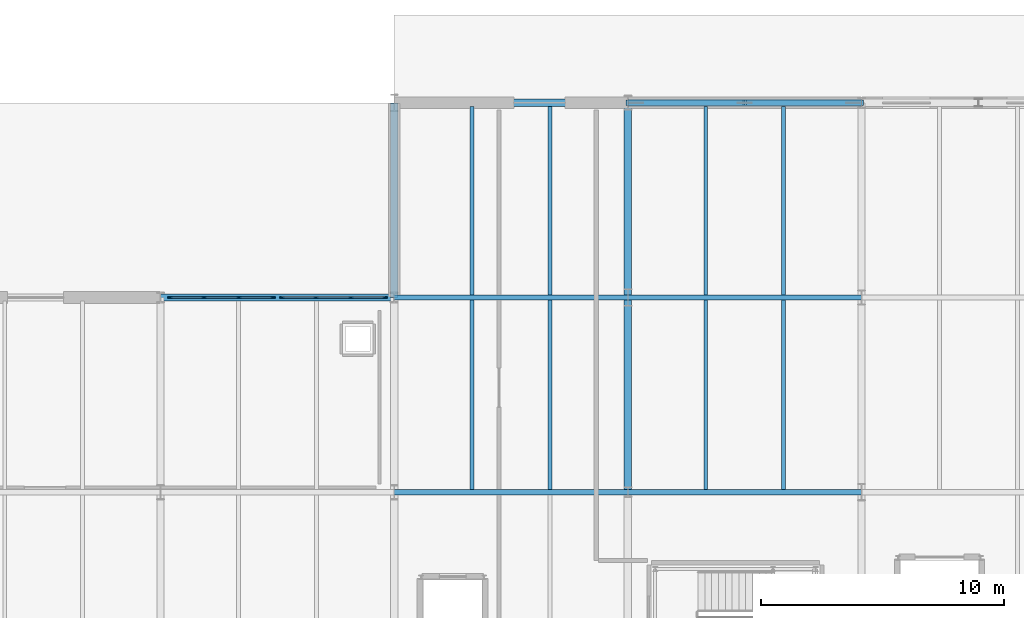
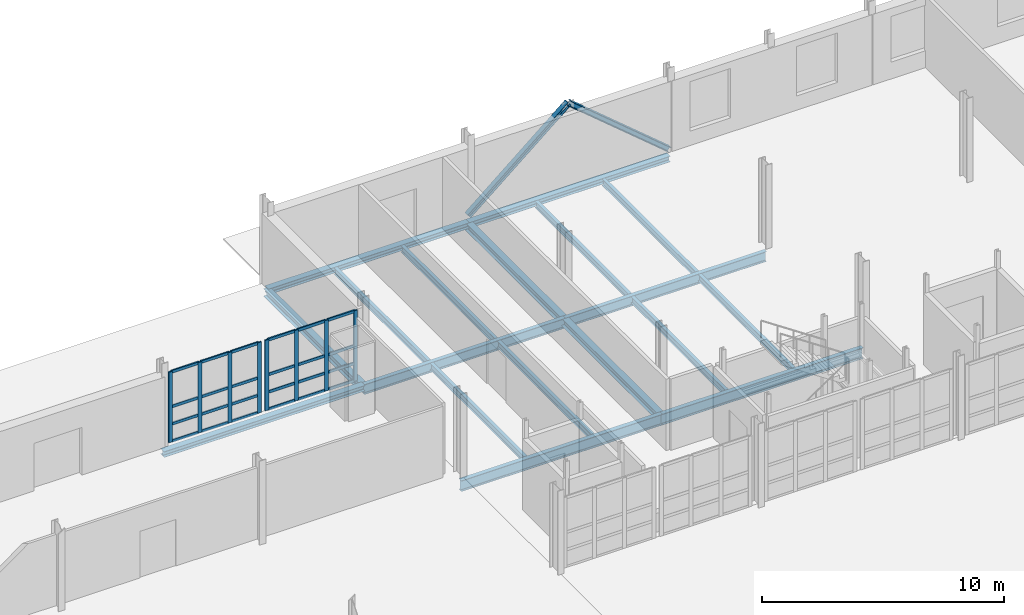
# One storey, part 41 of 78: 34 members, 18 beams, 2 elements without a shape of their own.
"""IFC4 building model written with IfcOpenShell, lengths in metres."""

from ifc_helpers import new_model, si_unit, direction, frame, origin, origin_2d, place, context, subcontext, project, spatial, rectangle, i_section, extrude, material, layer, layer_set, material_profile, profile_set, type_object, element, aggregate, save


model = new_model("IFC4")

# Units and contexts
model_context = context("Model", 3, precision=1e-05, world=origin(), true_north=direction((0.0, 1.0)))
body_context = subcontext(model_context, "Body", "Model", "MODEL_VIEW")
ifc_project = project(units=[si_unit("LENGTHUNIT", "METRE"), si_unit("AREAUNIT", "SQUARE_METRE"), si_unit("VOLUMEUNIT", "CUBIC_METRE"), si_unit("PLANEANGLEUNIT", "RADIAN"), si_unit("MASSUNIT", "GRAM", prefix="KILO")], contexts=[model_context])

# Site, building, storey
site_placement = place(None, origin())
site = spatial("IfcSite", under=ifc_project, at=site_placement, CompositionType="ELEMENT")
building_placement = place(site_placement, origin())
building = spatial("IfcBuilding", under=site, at=building_placement, Name="Alderhovde Museum", CompositionType="ELEMENT")
storey_placement = place(building_placement, origin())
storey = spatial("IfcBuildingStorey", under=building, at=storey_placement, Name="L00", CompositionType="ELEMENT", Elevation=0.0)

# Beams
ifc_material_1 = material(Name="Steel S355J2", Category="steel")
ifc_material_profile_1 = material_profile(ifc_material_1, i_section(OverallWidth=0.300048828125, OverallDepth=0.389892578125, WebThickness=0.010986328125, FlangeThickness=0.01904296875, FilletRadius=0.027099609375, at=origin_2d()), Name="HEA 400")
ifc_profile_set_1 = profile_set([ifc_material_profile_1], Name="Steel S355J2")
beam_type_1 = type_object("IfcBeamType", Name="BM-HEA400", PredefinedType="BEAM", material=ifc_profile_set_1)
for number, where, z_axis, x_axis, name in (
    (1, (115.199951171875, 88.0, -0.47509765625), (0.0, 1.0, 0.0), (-1.0, 0.0, 0.0), "L00 Grid Beam X=115.2 (88.0 TO 96.0)"),
    (2, (124.800048828125, 80.0, -0.47509765625), (0.0, 1.0, 0.0), (-1.0, 0.0, 0.0), "L00 Grid Beam X=124.8 (80.0 TO 88.0)"),
    (3, (124.800048828125, 88.0, -0.47509765625), (0.0, 1.0, 0.0), (-1.0, 0.0, 0.0), "L00 Grid Beam X=124.8 (88.0 TO 96.0)"),
):
    element("IfcBeam", number, at=place(storey_placement, frame(where, z_axis=z_axis, x_axis=x_axis)), inside=storey, type_object=beam_type_1, Name=name, PredefinedType="BEAM", context=body_context, shape_type="SweptSolid", body=[
        extrude(i_section(OverallWidth=0.300048828125, OverallDepth=0.389892578125, WebThickness=0.010986328125, FlangeThickness=0.01904296875, FilletRadius=0.027099609375, at=origin_2d()), origin(), (0.0, 0.0, 1.0), 8.0),
    ])
ifc_material_2 = material(Name="Steel S355J2", Category="steel")
ifc_material_profile_2 = material_profile(ifc_material_2, i_section(OverallWidth=0.199951171875, OverallDepth=0.5, WebThickness=0.01025390625, FlangeThickness=0.01611328125, FilletRadius=0.02099609375, at=origin_2d()), Name="IPE 500")
ifc_profile_set_2 = profile_set([ifc_material_profile_2], Name="Steel S355J2")
beam_type_2 = type_object("IfcBeamType", Name="BM-IPE500", PredefinedType="BEAM", material=ifc_profile_set_2)
beam_1_placement = place(storey_placement, frame((115.199951171875, 88.0, -0.530029296875), z_axis=(1.0, 0.0, 0.0), x_axis=(0.0, 1.0, 0.0)))
element("IfcBeam", 4, at=beam_1_placement, inside=storey, type_object=beam_type_2, Name="L00 Grid Beam Y=88.0 (115.2 TO 124.8)", PredefinedType="BEAM", context=body_context, shape_type="SweptSolid", body=[
    extrude(i_section(OverallWidth=0.199951171875, OverallDepth=0.5, WebThickness=0.01025390625, FlangeThickness=0.01611328125, FilletRadius=0.02099609375, at=origin_2d()), origin(), (0.0, 0.0, 1.0), 9.60009765625),
])
beam_2_placement = place(storey_placement, frame((124.800048828125, 88.0, -0.530029296875), z_axis=(1.0, 0.0, 0.0), x_axis=(0.0, 1.0, 0.0)))
element("IfcBeam", 5, at=beam_2_placement, inside=storey, type_object=beam_type_2, Name="L00 Grid Beam Y=88.0 (124.8 TO 134.4)", PredefinedType="BEAM", context=body_context, shape_type="SweptSolid", body=[
    extrude(i_section(OverallWidth=0.199951171875, OverallDepth=0.5, WebThickness=0.01025390625, FlangeThickness=0.01611328125, FilletRadius=0.02099609375, at=origin_2d()), origin(), (0.0, 0.0, 1.0), 9.599853515625),
])
ifc_material_3 = material(Name="Steel S355J2", Category="steel")
ifc_material_profile_3 = material_profile(ifc_material_3, i_section(OverallWidth=0.2099609375, OverallDepth=0.550048828125, WebThickness=0.010986328125, FlangeThickness=0.01708984375, FilletRadius=0.02392578125, at=origin_2d()), Name="IPE 550")
ifc_profile_set_3 = profile_set([ifc_material_profile_3], Name="Steel S355J2")
beam_type_3 = type_object("IfcBeamType", Name="BM-IPE550", PredefinedType="BEAM", material=ifc_profile_set_3)
beam_3_placement = place(storey_placement, frame((115.199951171875, 80.0, -0.554931640625), z_axis=(1.0, 0.0, 0.0), x_axis=(0.0, 1.0, 0.0)))
element("IfcBeam", 6, at=beam_3_placement, inside=storey, type_object=beam_type_3, Name="L00 Grid Beam Y=80.0 (115.2 TO 124.8)", PredefinedType="BEAM", context=body_context, shape_type="SweptSolid", body=[
    extrude(i_section(OverallWidth=0.2099609375, OverallDepth=0.550048828125, WebThickness=0.010986328125, FlangeThickness=0.01708984375, FilletRadius=0.02392578125, at=origin_2d()), origin(), (0.0, 0.0, 1.0), 9.60009765625),
])
beam_4_placement = place(storey_placement, frame((124.800048828125, 80.0, -0.554931640625), z_axis=(1.0, 0.0, 0.0), x_axis=(0.0, 1.0, 0.0)))
element("IfcBeam", 7, at=beam_4_placement, inside=storey, type_object=beam_type_3, Name="L00 Grid Beam Y=80.0 (124.8 TO 134.4)", PredefinedType="BEAM", context=body_context, shape_type="SweptSolid", body=[
    extrude(i_section(OverallWidth=0.2099609375, OverallDepth=0.550048828125, WebThickness=0.010986328125, FlangeThickness=0.01708984375, FilletRadius=0.02392578125, at=origin_2d()), origin(), (0.0, 0.0, 1.0), 9.599853515625),
])

# Members
ifc_material_4 = material(Name="Steel S355J2", Category="steel")
ifc_material_profile_4 = material_profile(ifc_material_4, i_section(OverallWidth=0.239990234375, OverallDepth=0.239990234375, WebThickness=0.010009765625, FlangeThickness=0.01708984375, FilletRadius=0.02099609375, at=origin_2d()), Name="HEB 240")
ifc_profile_set_4 = profile_set([ifc_material_profile_4], Name="Steel S355J2")
member_type_1 = type_object("IfcMemberType", Name="BR-HEB240", PredefinedType="BRACE", material=ifc_profile_set_4)
for number, where, z_axis, x_axis, name in (
    (8, (124.800048828125, 96.0, 0.0), (0.766649646023, 0.0, 0.64206566662), (0.0, 1.0, 0.0), "L00 Chevron Brace BR-V5-N-L"),
    (9, (134.39990234375, 96.0, 0.0), (-0.76663357033, 0.0, 0.642084861091), (0.0, -1.0, 0.0), "L00 Chevron Brace BR-V5-N-R"),
):
    element("IfcMember", number, at=place(storey_placement, frame(where, z_axis=z_axis, x_axis=x_axis)), inside=storey, type_object=member_type_1, Name=name, PredefinedType="BRACE", context=body_context, shape_type="SweptSolid", body=[
        extrude(i_section(OverallWidth=0.239990234375, OverallDepth=0.239990234375, WebThickness=0.010009765625, FlangeThickness=0.01708984375, FilletRadius=0.02099609375, at=origin_2d()), origin(), (0.0, 0.0, 1.0), 6.260986328125),
    ])

# Curtain wall, members
ifc_material_5 = material(Name="Triple-Glazed Bronze-Anodised Curtain Wall", Category="glass")
ifc_layer = layer(ifc_material_5, 0.179931640625)
ifc_layer_set = layer_set([ifc_layer], Name="Triple-Glazed Bronze-Anodised Curtain Wall")
curtain_wall_type = type_object("IfcCurtainWallType", Name="CW-UNIT-430x356", PredefinedType="USERDEFINED", material=ifc_layer_set)
curtain_wall_1_placement = place(storey_placement, origin())
curtain_wall_1 = element("IfcCurtainWall", 10, at=curtain_wall_1_placement, inside=storey, type_object=curtain_wall_type, Name="L00 Unitised Curtain Wall 15", ObjectType="UNITISED CURTAIN WALL", PredefinedType="USERDEFINED")
ifc_material_6 = material(Name="Bronze-Anodised Aluminium EN AW-6063-T6", Category="aluminium")
ifc_material_profile_5 = material_profile(ifc_material_6, rectangle(XDim=0.06494140625, YDim=0.179931640625, at=origin_2d()), Name="MULLION 65x180")
ifc_profile_set_5 = profile_set([ifc_material_profile_5], Name="Bronze-Anodised Aluminium EN AW-6063-T6")
member_type_2 = type_object("IfcMemberType", Name="CWM-65x180", PredefinedType="MULLION", material=ifc_profile_set_5)
member_1_placement = place(storey_placement, frame((105.982421875, 88.0, 0.0), z_axis=(0.0, 0.0, 1.0), x_axis=(0.0, 1.0, 0.0)))
member_1 = element("IfcMember", 11, at=member_1_placement, type_object=member_type_2, Name="CW07 mullion 1", PredefinedType="MULLION", context=body_context, shape_type="SweptSolid", body=[
    extrude(rectangle(XDim=0.06494140625, YDim=0.179931640625, at=origin_2d()), origin(), (0.0, 0.0, 1.0), 3.56005859375),
])
member_2_placement = place(storey_placement, frame((107.38330078125, 88.0, 0.0), z_axis=(0.0, 0.0, 1.0), x_axis=(0.0, 1.0, 0.0)))
member_2 = element("IfcMember", 12, at=member_2_placement, type_object=member_type_2, Name="CW07 mullion 2", PredefinedType="MULLION", context=body_context, shape_type="SweptSolid", body=[
    extrude(rectangle(XDim=0.06494140625, YDim=0.179931640625, at=origin_2d()), origin(), (0.0, 0.0, 1.0), 3.56005859375),
])
member_3_placement = place(storey_placement, frame((108.816650390625, 88.0, 0.0), z_axis=(0.0, 0.0, 1.0), x_axis=(0.0, 1.0, 0.0)))
member_3 = element("IfcMember", 13, at=member_3_placement, type_object=member_type_2, Name="CW07 mullion 3", PredefinedType="MULLION", context=body_context, shape_type="SweptSolid", body=[
    extrude(rectangle(XDim=0.06494140625, YDim=0.179931640625, at=origin_2d()), origin(), (0.0, 0.0, 1.0), 3.56005859375),
])
member_4_placement = place(storey_placement, frame((110.217529296875, 88.0, 0.0), z_axis=(0.0, 0.0, 1.0), x_axis=(0.0, 1.0, 0.0)))
member_4 = element("IfcMember", 14, at=member_4_placement, type_object=member_type_2, Name="CW07 mullion 4", PredefinedType="MULLION", context=body_context, shape_type="SweptSolid", body=[
    extrude(rectangle(XDim=0.06494140625, YDim=0.179931640625, at=origin_2d()), origin(), (0.0, 0.0, 1.0), 3.56005859375),
])

curtain_wall_2_placement = place(storey_placement, origin())
curtain_wall_2 = element("IfcCurtainWall", 15, at=curtain_wall_2_placement, inside=storey, type_object=curtain_wall_type, Name="L00 Unitised Curtain Wall 16", ObjectType="UNITISED CURTAIN WALL", PredefinedType="USERDEFINED")
member_5_placement = place(storey_placement, frame((110.58251953125, 88.0, 0.0), z_axis=(0.0, 0.0, 1.0), x_axis=(0.0, 1.0, 0.0)))
member_5 = element("IfcMember", 16, at=member_5_placement, type_object=member_type_2, Name="CW07 mullion 1", PredefinedType="MULLION", context=body_context, shape_type="SweptSolid", body=[
    extrude(rectangle(XDim=0.06494140625, YDim=0.179931640625, at=origin_2d()), origin(), (0.0, 0.0, 1.0), 3.56005859375),
])
member_6_placement = place(storey_placement, frame((111.9833984375, 88.0, 0.0), z_axis=(0.0, 0.0, 1.0), x_axis=(0.0, 1.0, 0.0)))
member_6 = element("IfcMember", 17, at=member_6_placement, type_object=member_type_2, Name="CW07 mullion 2", PredefinedType="MULLION", context=body_context, shape_type="SweptSolid", body=[
    extrude(rectangle(XDim=0.06494140625, YDim=0.179931640625, at=origin_2d()), origin(), (0.0, 0.0, 1.0), 3.56005859375),
])
member_7_placement = place(storey_placement, frame((113.416748046875, 88.0, 0.0), z_axis=(0.0, 0.0, 1.0), x_axis=(0.0, 1.0, 0.0)))
member_7 = element("IfcMember", 18, at=member_7_placement, type_object=member_type_2, Name="CW07 mullion 3", PredefinedType="MULLION", context=body_context, shape_type="SweptSolid", body=[
    extrude(rectangle(XDim=0.06494140625, YDim=0.179931640625, at=origin_2d()), origin(), (0.0, 0.0, 1.0), 3.56005859375),
])
member_8_placement = place(storey_placement, frame((114.8173828125, 88.0, 0.0), z_axis=(0.0, 0.0, 1.0), x_axis=(0.0, 1.0, 0.0)))
member_8 = element("IfcMember", 19, at=member_8_placement, type_object=member_type_2, Name="CW07 mullion 4", PredefinedType="MULLION", context=body_context, shape_type="SweptSolid", body=[
    extrude(rectangle(XDim=0.06494140625, YDim=0.179931640625, at=origin_2d()), origin(), (0.0, 0.0, 1.0), 3.56005859375),
])

# Member
ifc_material_7 = material(Name="Bronze-Anodised Aluminium EN AW-6063-T6", Category="aluminium")
ifc_material_profile_6 = material_profile(ifc_material_7, rectangle(XDim=0.06494140625, YDim=0.139892578125, at=origin_2d()), Name="TRANSOM 65x140")
ifc_profile_set_6 = profile_set([ifc_material_profile_6], Name="Bronze-Anodised Aluminium EN AW-6063-T6")
member_type_3 = type_object("IfcMemberType", Name="CWT-65x140", PredefinedType="USERDEFINED", material=ifc_profile_set_6)
member_9_placement = place(storey_placement, frame((106.014892578125, 88.0, 0.032470703125), z_axis=(1.0, 0.0, 0.0), x_axis=(0.0, 1.0, 0.0)))
member_9 = element("IfcMember", 20, at=member_9_placement, type_object=member_type_3, Name="CW07 transom 1.1", ObjectType="TRANSOM", PredefinedType="USERDEFINED", context=body_context, shape_type="SweptSolid", body=[
    extrude(rectangle(XDim=0.06494140625, YDim=0.139892578125, at=origin_2d()), origin(), (0.0, 0.0, 1.0), 1.3359375),
])

member_10_placement = place(storey_placement, frame((106.014892578125, 88.0, 0.89990234375), z_axis=(1.0, 0.0, 0.0), x_axis=(0.0, 1.0, 0.0)))
member_10 = element("IfcMember", 21, at=member_10_placement, type_object=member_type_3, Name="CW07 transom 1.2", ObjectType="TRANSOM", PredefinedType="USERDEFINED", context=body_context, shape_type="SweptSolid", body=[
    extrude(rectangle(XDim=0.06494140625, YDim=0.139892578125, at=origin_2d()), origin(), (0.0, 0.0, 1.0), 1.3359375),
])

member_11_placement = place(storey_placement, frame((106.014892578125, 88.0, 1.780029296875), z_axis=(1.0, 0.0, 0.0), x_axis=(0.0, 1.0, 0.0)))
member_11 = element("IfcMember", 22, at=member_11_placement, type_object=member_type_3, Name="CW07 transom 1.3", ObjectType="TRANSOM", PredefinedType="USERDEFINED", context=body_context, shape_type="SweptSolid", body=[
    extrude(rectangle(XDim=0.06494140625, YDim=0.139892578125, at=origin_2d()), origin(), (0.0, 0.0, 1.0), 1.3359375),
])

member_12_placement = place(storey_placement, frame((106.014892578125, 88.0, 3.527587890625), z_axis=(1.0, 0.0, 0.0), x_axis=(0.0, 1.0, 0.0)))
member_12 = element("IfcMember", 23, at=member_12_placement, type_object=member_type_3, Name="CW07 transom 1.4", ObjectType="TRANSOM", PredefinedType="USERDEFINED", context=body_context, shape_type="SweptSolid", body=[
    extrude(rectangle(XDim=0.06494140625, YDim=0.139892578125, at=origin_2d()), origin(), (0.0, 0.0, 1.0), 1.3359375),
])

member_13_placement = place(storey_placement, frame((107.415771484375, 88.0, 0.032470703125), z_axis=(1.0, 0.0, 0.0), x_axis=(0.0, 1.0, 0.0)))
member_13 = element("IfcMember", 24, at=member_13_placement, type_object=member_type_3, Name="CW07 transom 2.1", ObjectType="TRANSOM", PredefinedType="USERDEFINED", context=body_context, shape_type="SweptSolid", body=[
    extrude(rectangle(XDim=0.06494140625, YDim=0.139892578125, at=origin_2d()), origin(), (0.0, 0.0, 1.0), 1.368408203125),
])

member_14_placement = place(storey_placement, frame((107.415771484375, 88.0, 0.89990234375), z_axis=(1.0, 0.0, 0.0), x_axis=(0.0, 1.0, 0.0)))
member_14 = element("IfcMember", 25, at=member_14_placement, type_object=member_type_3, Name="CW07 transom 2.2", ObjectType="TRANSOM", PredefinedType="USERDEFINED", context=body_context, shape_type="SweptSolid", body=[
    extrude(rectangle(XDim=0.06494140625, YDim=0.139892578125, at=origin_2d()), origin(), (0.0, 0.0, 1.0), 1.368408203125),
])

member_15_placement = place(storey_placement, frame((107.415771484375, 88.0, 1.780029296875), z_axis=(1.0, 0.0, 0.0), x_axis=(0.0, 1.0, 0.0)))
member_15 = element("IfcMember", 26, at=member_15_placement, type_object=member_type_3, Name="CW07 transom 2.3", ObjectType="TRANSOM", PredefinedType="USERDEFINED", context=body_context, shape_type="SweptSolid", body=[
    extrude(rectangle(XDim=0.06494140625, YDim=0.139892578125, at=origin_2d()), origin(), (0.0, 0.0, 1.0), 1.368408203125),
])

member_16_placement = place(storey_placement, frame((107.415771484375, 88.0, 3.527587890625), z_axis=(1.0, 0.0, 0.0), x_axis=(0.0, 1.0, 0.0)))
member_16 = element("IfcMember", 27, at=member_16_placement, type_object=member_type_3, Name="CW07 transom 2.4", ObjectType="TRANSOM", PredefinedType="USERDEFINED", context=body_context, shape_type="SweptSolid", body=[
    extrude(rectangle(XDim=0.06494140625, YDim=0.139892578125, at=origin_2d()), origin(), (0.0, 0.0, 1.0), 1.368408203125),
])

member_17_placement = place(storey_placement, frame((108.84912109375, 88.0, 0.032470703125), z_axis=(1.0, 0.0, 0.0), x_axis=(0.0, 1.0, 0.0)))
member_17 = element("IfcMember", 28, at=member_17_placement, type_object=member_type_3, Name="CW07 transom 3.1", ObjectType="TRANSOM", PredefinedType="USERDEFINED", context=body_context, shape_type="SweptSolid", body=[
    extrude(rectangle(XDim=0.06494140625, YDim=0.139892578125, at=origin_2d()), origin(), (0.0, 0.0, 1.0), 1.3359375),
])

member_18_placement = place(storey_placement, frame((108.84912109375, 88.0, 0.89990234375), z_axis=(1.0, 0.0, 0.0), x_axis=(0.0, 1.0, 0.0)))
member_18 = element("IfcMember", 29, at=member_18_placement, type_object=member_type_3, Name="CW07 transom 3.2", ObjectType="TRANSOM", PredefinedType="USERDEFINED", context=body_context, shape_type="SweptSolid", body=[
    extrude(rectangle(XDim=0.06494140625, YDim=0.139892578125, at=origin_2d()), origin(), (0.0, 0.0, 1.0), 1.3359375),
])

member_19_placement = place(storey_placement, frame((108.84912109375, 88.0, 1.780029296875), z_axis=(1.0, 0.0, 0.0), x_axis=(0.0, 1.0, 0.0)))
member_19 = element("IfcMember", 30, at=member_19_placement, type_object=member_type_3, Name="CW07 transom 3.3", ObjectType="TRANSOM", PredefinedType="USERDEFINED", context=body_context, shape_type="SweptSolid", body=[
    extrude(rectangle(XDim=0.06494140625, YDim=0.139892578125, at=origin_2d()), origin(), (0.0, 0.0, 1.0), 1.3359375),
])

member_20_placement = place(storey_placement, frame((108.84912109375, 88.0, 3.527587890625), z_axis=(1.0, 0.0, 0.0), x_axis=(0.0, 1.0, 0.0)))
member_20 = element("IfcMember", 31, at=member_20_placement, type_object=member_type_3, Name="CW07 transom 3.4", ObjectType="TRANSOM", PredefinedType="USERDEFINED", context=body_context, shape_type="SweptSolid", body=[
    extrude(rectangle(XDim=0.06494140625, YDim=0.139892578125, at=origin_2d()), origin(), (0.0, 0.0, 1.0), 1.3359375),
])

aggregate(curtain_wall_1, [member_1, member_2, member_3, member_4, member_9, member_10, member_11, member_12, member_13, member_14, member_15, member_16, member_17, member_18, member_19, member_20])

member_21_placement = place(storey_placement, frame((110.614990234375, 88.0, 0.032470703125), z_axis=(1.0, 0.0, 0.0), x_axis=(0.0, 1.0, 0.0)))
member_21 = element("IfcMember", 32, at=member_21_placement, type_object=member_type_3, Name="CW07 transom 1.1", ObjectType="TRANSOM", PredefinedType="USERDEFINED", context=body_context, shape_type="SweptSolid", body=[
    extrude(rectangle(XDim=0.06494140625, YDim=0.139892578125, at=origin_2d()), origin(), (0.0, 0.0, 1.0), 1.3359375),
])

member_22_placement = place(storey_placement, frame((110.614990234375, 88.0, 0.89990234375), z_axis=(1.0, 0.0, 0.0), x_axis=(0.0, 1.0, 0.0)))
member_22 = element("IfcMember", 33, at=member_22_placement, type_object=member_type_3, Name="CW07 transom 1.2", ObjectType="TRANSOM", PredefinedType="USERDEFINED", context=body_context, shape_type="SweptSolid", body=[
    extrude(rectangle(XDim=0.06494140625, YDim=0.139892578125, at=origin_2d()), origin(), (0.0, 0.0, 1.0), 1.3359375),
])

member_23_placement = place(storey_placement, frame((110.614990234375, 88.0, 1.780029296875), z_axis=(1.0, 0.0, 0.0), x_axis=(0.0, 1.0, 0.0)))
member_23 = element("IfcMember", 34, at=member_23_placement, type_object=member_type_3, Name="CW07 transom 1.3", ObjectType="TRANSOM", PredefinedType="USERDEFINED", context=body_context, shape_type="SweptSolid", body=[
    extrude(rectangle(XDim=0.06494140625, YDim=0.139892578125, at=origin_2d()), origin(), (0.0, 0.0, 1.0), 1.3359375),
])

member_24_placement = place(storey_placement, frame((110.614990234375, 88.0, 3.527587890625), z_axis=(1.0, 0.0, 0.0), x_axis=(0.0, 1.0, 0.0)))
member_24 = element("IfcMember", 35, at=member_24_placement, type_object=member_type_3, Name="CW07 transom 1.4", ObjectType="TRANSOM", PredefinedType="USERDEFINED", context=body_context, shape_type="SweptSolid", body=[
    extrude(rectangle(XDim=0.06494140625, YDim=0.139892578125, at=origin_2d()), origin(), (0.0, 0.0, 1.0), 1.3359375),
])

member_25_placement = place(storey_placement, frame((112.015869140625, 88.0, 0.032470703125), z_axis=(1.0, 0.0, 0.0), x_axis=(0.0, 1.0, 0.0)))
member_25 = element("IfcMember", 36, at=member_25_placement, type_object=member_type_3, Name="CW07 transom 2.1", ObjectType="TRANSOM", PredefinedType="USERDEFINED", context=body_context, shape_type="SweptSolid", body=[
    extrude(rectangle(XDim=0.06494140625, YDim=0.139892578125, at=origin_2d()), origin(), (0.0, 0.0, 1.0), 1.368408203125),
])

member_26_placement = place(storey_placement, frame((112.015869140625, 88.0, 0.89990234375), z_axis=(1.0, 0.0, 0.0), x_axis=(0.0, 1.0, 0.0)))
member_26 = element("IfcMember", 37, at=member_26_placement, type_object=member_type_3, Name="CW07 transom 2.2", ObjectType="TRANSOM", PredefinedType="USERDEFINED", context=body_context, shape_type="SweptSolid", body=[
    extrude(rectangle(XDim=0.06494140625, YDim=0.139892578125, at=origin_2d()), origin(), (0.0, 0.0, 1.0), 1.368408203125),
])

member_27_placement = place(storey_placement, frame((112.015869140625, 88.0, 1.780029296875), z_axis=(1.0, 0.0, 0.0), x_axis=(0.0, 1.0, 0.0)))
member_27 = element("IfcMember", 38, at=member_27_placement, type_object=member_type_3, Name="CW07 transom 2.3", ObjectType="TRANSOM", PredefinedType="USERDEFINED", context=body_context, shape_type="SweptSolid", body=[
    extrude(rectangle(XDim=0.06494140625, YDim=0.139892578125, at=origin_2d()), origin(), (0.0, 0.0, 1.0), 1.368408203125),
])

member_28_placement = place(storey_placement, frame((112.015869140625, 88.0, 3.527587890625), z_axis=(1.0, 0.0, 0.0), x_axis=(0.0, 1.0, 0.0)))
member_28 = element("IfcMember", 39, at=member_28_placement, type_object=member_type_3, Name="CW07 transom 2.4", ObjectType="TRANSOM", PredefinedType="USERDEFINED", context=body_context, shape_type="SweptSolid", body=[
    extrude(rectangle(XDim=0.06494140625, YDim=0.139892578125, at=origin_2d()), origin(), (0.0, 0.0, 1.0), 1.368408203125),
])

member_29_placement = place(storey_placement, frame((113.44921875, 88.0, 0.032470703125), z_axis=(1.0, 0.0, 0.0), x_axis=(0.0, 1.0, 0.0)))
member_29 = element("IfcMember", 40, at=member_29_placement, type_object=member_type_3, Name="CW07 transom 3.1", ObjectType="TRANSOM", PredefinedType="USERDEFINED", context=body_context, shape_type="SweptSolid", body=[
    extrude(rectangle(XDim=0.06494140625, YDim=0.139892578125, at=origin_2d()), origin(), (0.0, 0.0, 1.0), 1.335693359375),
])

member_30_placement = place(storey_placement, frame((113.44921875, 88.0, 0.89990234375), z_axis=(1.0, 0.0, 0.0), x_axis=(0.0, 1.0, 0.0)))
member_30 = element("IfcMember", 41, at=member_30_placement, type_object=member_type_3, Name="CW07 transom 3.2", ObjectType="TRANSOM", PredefinedType="USERDEFINED", context=body_context, shape_type="SweptSolid", body=[
    extrude(rectangle(XDim=0.06494140625, YDim=0.139892578125, at=origin_2d()), origin(), (0.0, 0.0, 1.0), 1.335693359375),
])

member_31_placement = place(storey_placement, frame((113.44921875, 88.0, 1.780029296875), z_axis=(1.0, 0.0, 0.0), x_axis=(0.0, 1.0, 0.0)))
member_31 = element("IfcMember", 42, at=member_31_placement, type_object=member_type_3, Name="CW07 transom 3.3", ObjectType="TRANSOM", PredefinedType="USERDEFINED", context=body_context, shape_type="SweptSolid", body=[
    extrude(rectangle(XDim=0.06494140625, YDim=0.139892578125, at=origin_2d()), origin(), (0.0, 0.0, 1.0), 1.335693359375),
])

member_32_placement = place(storey_placement, frame((113.44921875, 88.0, 3.527587890625), z_axis=(1.0, 0.0, 0.0), x_axis=(0.0, 1.0, 0.0)))
member_32 = element("IfcMember", 43, at=member_32_placement, type_object=member_type_3, Name="CW07 transom 3.4", ObjectType="TRANSOM", PredefinedType="USERDEFINED", context=body_context, shape_type="SweptSolid", body=[
    extrude(rectangle(XDim=0.06494140625, YDim=0.139892578125, at=origin_2d()), origin(), (0.0, 0.0, 1.0), 1.335693359375),
])

aggregate(curtain_wall_2, [member_5, member_6, member_7, member_8, member_21, member_22, member_23, member_24, member_25, member_26, member_27, member_28, member_29, member_30, member_31, member_32])

# Beams
ifc_material_8 = material(Name="Steel S355J2", Category="steel")
ifc_material_profile_7 = material_profile(ifc_material_8, i_section(OverallWidth=0.159912109375, OverallDepth=0.330078125, WebThickness=0.007568359375, FlangeThickness=0.011474609375, FilletRadius=0.01806640625, at=origin_2d()), Name="IPE 330")
ifc_profile_set_7 = profile_set([ifc_material_profile_7], Name="Steel S355J2")
beam_type_4 = type_object("IfcBeamType", Name="JST-IPE330", PredefinedType="JOIST", material=ifc_profile_set_7)
for number, where, z_axis, x_axis, name in (
    (44, (118.39990234375, 80.10498046875, -0.445068359375), (0.0, 1.0, 0.0), (-1.0, 0.0, 0.0), "L00 Composite Joist X=118.4 (80.0 TO 88.0)"),
    (45, (121.60009765625, 80.10498046875, -0.445068359375), (0.0, 1.0, 0.0), (-1.0, 0.0, 0.0), "L00 Composite Joist X=121.6 (80.0 TO 88.0)"),
):
    element("IfcBeam", number, at=place(storey_placement, frame(where, z_axis=z_axis, x_axis=x_axis)), inside=storey, type_object=beam_type_4, Name=name, PredefinedType="JOIST", context=body_context, shape_type="SweptSolid", body=[
        extrude(i_section(OverallWidth=0.159912109375, OverallDepth=0.330078125, WebThickness=0.007568359375, FlangeThickness=0.011474609375, FilletRadius=0.01806640625, at=origin_2d()), origin(), (0.0, 0.0, 1.0), 7.794921875),
    ])
for number, where, z_axis, x_axis, name in (
    (46, (118.39990234375, 88.10009765625, -0.445068359375), (0.0, 1.0, 0.0), (-1.0, 0.0, 0.0), "L00 Composite Joist X=118.4 (88.0 TO 96.0)"),
    (47, (121.60009765625, 88.10009765625, -0.445068359375), (0.0, 1.0, 0.0), (-1.0, 0.0, 0.0), "L00 Composite Joist X=121.6 (88.0 TO 96.0)"),
):
    element("IfcBeam", number, at=place(storey_placement, frame(where, z_axis=z_axis, x_axis=x_axis)), inside=storey, type_object=beam_type_4, Name=name, PredefinedType="JOIST", context=body_context, shape_type="SweptSolid", body=[
        extrude(i_section(OverallWidth=0.159912109375, OverallDepth=0.330078125, WebThickness=0.007568359375, FlangeThickness=0.011474609375, FilletRadius=0.01806640625, at=origin_2d()), origin(), (0.0, 0.0, 1.0), 7.75),
    ])
for number, where, z_axis, x_axis, name in (
    (48, (128.0, 80.10498046875, -0.445068359375), (0.0, 1.0, 0.0), (-1.0, 0.0, 0.0), "L00 Composite Joist X=128.0 (80.0 TO 88.0)"),
    (49, (131.199951171875, 80.10498046875, -0.445068359375), (0.0, 1.0, 0.0), (-1.0, 0.0, 0.0), "L00 Composite Joist X=131.2 (80.0 TO 88.0)"),
):
    element("IfcBeam", number, at=place(storey_placement, frame(where, z_axis=z_axis, x_axis=x_axis)), inside=storey, type_object=beam_type_4, Name=name, PredefinedType="JOIST", context=body_context, shape_type="SweptSolid", body=[
        extrude(i_section(OverallWidth=0.159912109375, OverallDepth=0.330078125, WebThickness=0.007568359375, FlangeThickness=0.011474609375, FilletRadius=0.01806640625, at=origin_2d()), origin(), (0.0, 0.0, 1.0), 7.794921875),
    ])
for number, where, z_axis, x_axis, name in (
    (50, (128.0, 88.10009765625, -0.445068359375), (0.0, 1.0, 0.0), (-1.0, 0.0, 0.0), "L00 Composite Joist X=128.0 (88.0 TO 96.0)"),
    (51, (131.199951171875, 88.10009765625, -0.445068359375), (0.0, 1.0, 0.0), (-1.0, 0.0, 0.0), "L00 Composite Joist X=131.2 (88.0 TO 96.0)"),
):
    element("IfcBeam", number, at=place(storey_placement, frame(where, z_axis=z_axis, x_axis=x_axis)), inside=storey, type_object=beam_type_4, Name=name, PredefinedType="JOIST", context=body_context, shape_type="SweptSolid", body=[
        extrude(i_section(OverallWidth=0.159912109375, OverallDepth=0.330078125, WebThickness=0.007568359375, FlangeThickness=0.011474609375, FilletRadius=0.01806640625, at=origin_2d()), origin(), (0.0, 0.0, 1.0), 7.75),
    ])
ifc_material_9 = material(Name="Steel S355J2", Category="steel")
ifc_material_profile_8 = material_profile(ifc_material_9, i_section(OverallWidth=0.300048828125, OverallDepth=0.2900390625, WebThickness=0.008544921875, FlangeThickness=0.013916015625, FilletRadius=0.027099609375, at=origin_2d()), Name="HEA 300")
ifc_profile_set_8 = profile_set([ifc_material_profile_8], Name="Steel S355J2")
beam_type_5 = type_object("IfcBeamType", Name="SPD-HEA300", PredefinedType="SPANDREL", material=ifc_profile_set_8)
beam_5_placement = place(storey_placement, frame((105.60009765625, 88.0, -0.425048828125), z_axis=(1.0, 0.0, 0.0), x_axis=(0.0, 1.0, 0.0)))
element("IfcBeam", 52, at=beam_5_placement, inside=storey, type_object=beam_type_5, Name="L00 Grid Beam Y=88.0 (105.6 TO 115.2)", PredefinedType="SPANDREL", context=body_context, shape_type="SweptSolid", body=[
    extrude(i_section(OverallWidth=0.300048828125, OverallDepth=0.2900390625, WebThickness=0.008544921875, FlangeThickness=0.013916015625, FilletRadius=0.027099609375, at=origin_2d()), origin(), (0.0, 0.0, 1.0), 9.599853515625),
])
beam_6_placement = place(storey_placement, frame((115.199951171875, 96.0, -0.425048828125), z_axis=(1.0, 0.0, 0.0), x_axis=(0.0, 1.0, 0.0)))
element("IfcBeam", 53, at=beam_6_placement, inside=storey, type_object=beam_type_5, Name="L00 Grid Beam Y=96.0 (115.2 TO 124.8)", PredefinedType="SPANDREL", context=body_context, shape_type="SweptSolid", body=[
    extrude(i_section(OverallWidth=0.300048828125, OverallDepth=0.2900390625, WebThickness=0.008544921875, FlangeThickness=0.013916015625, FilletRadius=0.027099609375, at=origin_2d()), origin(), (0.0, 0.0, 1.0), 9.60009765625),
])
beam_7_placement = place(storey_placement, frame((124.800048828125, 96.0, -0.425048828125), z_axis=(1.0, 0.0, 0.0), x_axis=(0.0, 1.0, 0.0)))
element("IfcBeam", 54, at=beam_7_placement, inside=storey, type_object=beam_type_5, Name="L00 Grid Beam Y=96.0 (124.8 TO 134.4)", PredefinedType="SPANDREL", context=body_context, shape_type="SweptSolid", body=[
    extrude(i_section(OverallWidth=0.300048828125, OverallDepth=0.2900390625, WebThickness=0.008544921875, FlangeThickness=0.013916015625, FilletRadius=0.027099609375, at=origin_2d()), origin(), (0.0, 0.0, 1.0), 9.599853515625),
])

save(model, "model.ifc")
